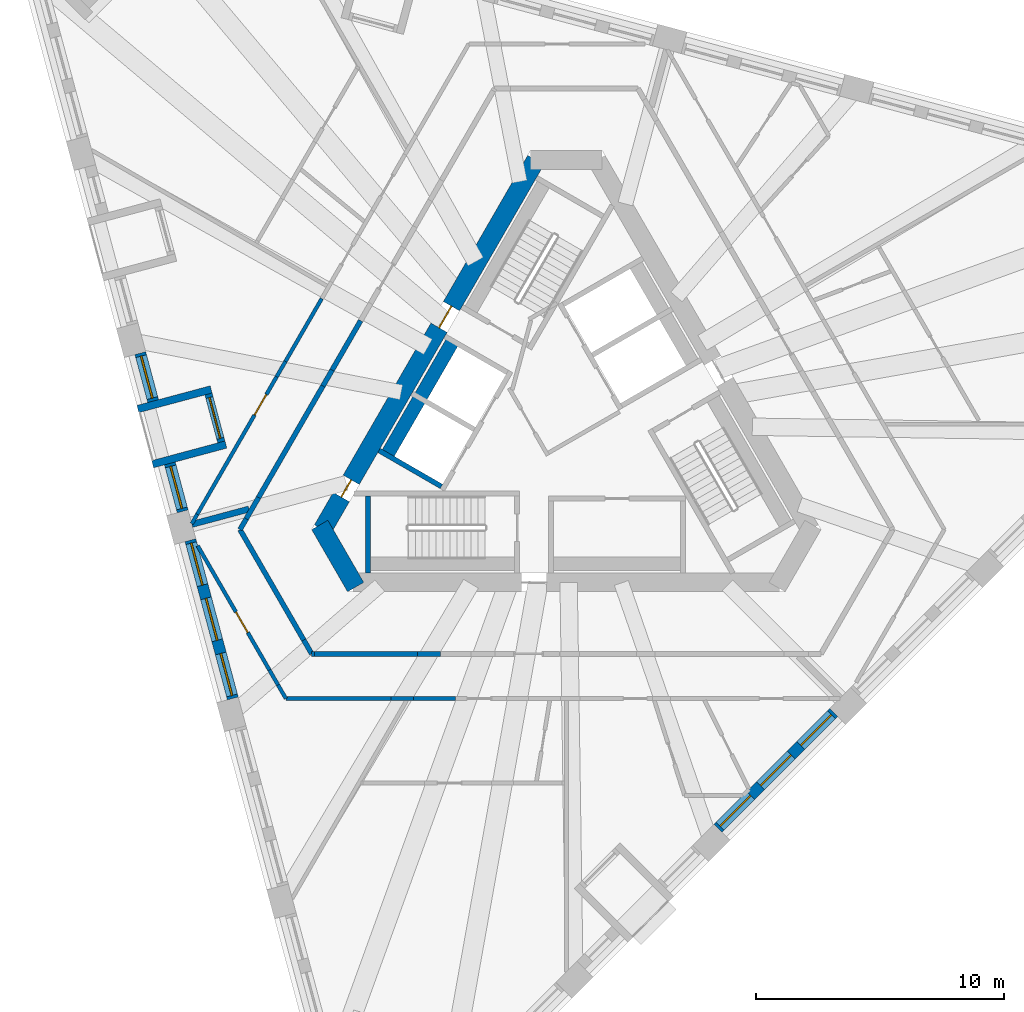
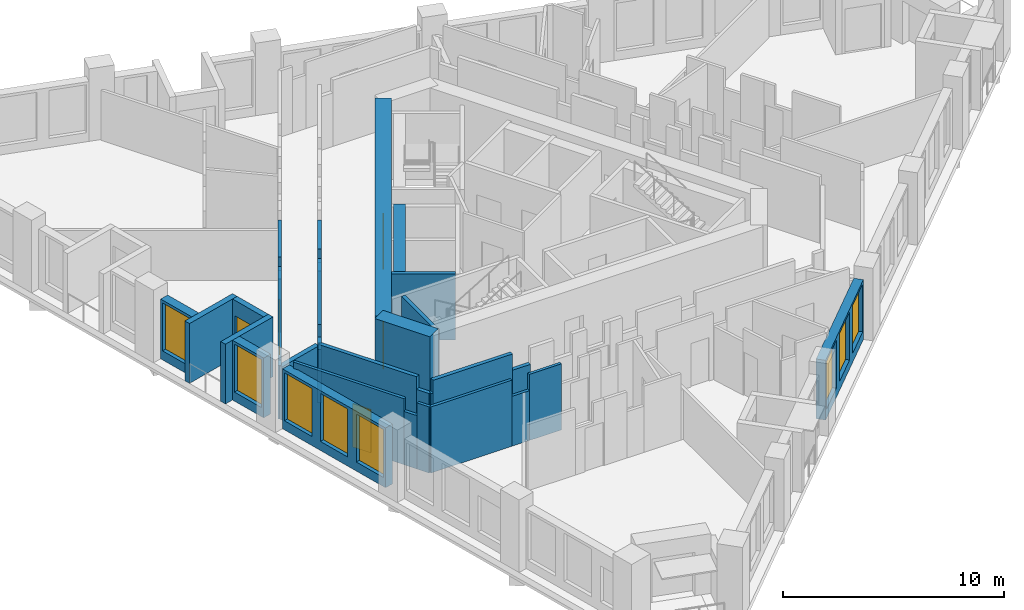
# One storey, part 3 of 13: 33 walls, 8 windows, 5 doors, 13 openings.
"""IFC4 building model written with IfcOpenShell, lengths in metres."""

from ifc_helpers import new_model, si_unit, direction, frame, frame_2d, origin, place, context, subcontext, project, spatial, rectangle, extrude, material, layer, layer_set, type_object, element, fill, save


model = new_model("IFC4")

# Units and contexts
model_context = context("Model", 3, precision=1e-05, world=origin(), true_north=direction((0.0, 1.0)))
body_context = subcontext(model_context, "Body", "Model", "MODEL_VIEW")
ifc_project = project(units=[si_unit("LENGTHUNIT", "METRE"), si_unit("AREAUNIT", "SQUARE_METRE"), si_unit("VOLUMEUNIT", "CUBIC_METRE"), si_unit("PLANEANGLEUNIT", "RADIAN"), si_unit("MASSUNIT", "GRAM", prefix="KILO")], contexts=[model_context])

# Site, building, storey
site_placement = place(None, origin())
site = spatial("IfcSite", under=ifc_project, at=site_placement, CompositionType="ELEMENT")
building_placement = place(site_placement, origin())
building = spatial("IfcBuilding", under=site, at=building_placement, Name="Tramontana Tower", CompositionType="ELEMENT")
storey_placement = place(building_placement, frame((0.0, 0.0, 208.0)))
storey = spatial("IfcBuildingStorey", under=building, at=storey_placement, Name="L48", CompositionType="ELEMENT", Elevation=208.0)

# Wall, openings, doors
ifc_material_1 = material(Name="Concrete 70 MPa", Category="concrete")
ifc_layer_1 = layer(ifc_material_1, 0.75)
ifc_layer_set_1 = layer_set([ifc_layer_1], Name="Core wall 750 70 MPa")
wall_type_1 = type_object("IfcWallType", Name="Core wall 750 70 MPa", PredefinedType="SHEAR", material=ifc_layer_set_1)
wall_1_placement = place(storey_placement, frame((-1.226806640625, 10.625, 0.0), z_axis=(0.0, 0.0, 1.0), x_axis=(-0.500002161919, -0.866024155596, 0.0)))
wall_1 = element("IfcWall", 1, at=wall_1_placement, inside=storey, type_object=wall_type_1, Name="Core wall C1 L48", PredefinedType="SHEAR", context=body_context, shape_type="SweptSolid", body=[
    extrude(rectangle(XDim=17.17626953125, YDim=0.75, at=frame_2d((8.588134765625, 0.0))), origin(), (0.0, 0.0, 1.0), 4.0),
])
opening_1_placement = place(wall_1_placement, frame((6.79296875, 0.0, 0.0)))
opening_1 = element("IfcOpeningElement", 2, at=opening_1_placement, cuts=wall_1, Name="Opening RG1", PredefinedType="OPENING", context=body_context, shape_type="SweptSolid", body=[
    extrude(rectangle(XDim=1.0, YDim=2.39990234375, at=frame_2d((0.5, 1.199951171875))), frame((0.0, 0.385009765625, 0.0), z_axis=(0.0, -1.0, 0.0), x_axis=(1.0, 0.0, 0.0)), (0.0, 0.0, 1.0), 0.77001953125),
])
opening_2_placement = place(wall_1_placement, frame((14.863525390625, 0.0, 0.0)))
opening_2 = element("IfcOpeningElement", 3, at=opening_2_placement, cuts=wall_1, Name="Opening PD1", PredefinedType="OPENING", context=body_context, shape_type="SweptSolid", body=[
    extrude(rectangle(XDim=0.800048828125, YDim=2.10009765625, at=frame_2d((0.39990234375, 1.050048828125))), frame((0.0, 0.385009765625, 0.0), z_axis=(0.0, -1.0, 0.0), x_axis=(1.0, 0.0, 0.0)), (0.0, 0.0, 1.0), 0.77001953125),
])
ifc_material_2 = material(Name="Painted steel", Category="steel")
door_type_1 = type_object("IfcDoorType", Name="CUPBOARD DOOR 800", OperationType="SINGLE_SWING_LEFT", PredefinedType="DOOR", material=ifc_material_2)
door_1_placement = place(opening_2_placement, origin())
door_1 = element("IfcDoor", 4, at=door_1_placement, inside=storey, type_object=door_type_1, Name="Door PD1", OperationType="SINGLE_SWING_RIGHT", OverallHeight=2.10009765625, OverallWidth=0.800048828125, PredefinedType="DOOR", context=body_context, shape_type="SweptSolid", body=[
    extrude(rectangle(XDim=0.800048828125, YDim=2.10009765625, at=frame_2d((0.39990234375, 1.050048828125))), frame((0.0, 0.02490234375, 0.0), z_axis=(0.0, -1.0, 0.0), x_axis=(1.0, 0.0, 0.0)), (0.0, 0.0, 1.0), 0.050048828125),
])
fill(opening_2, door_1)
ifc_material_3 = material(Name="Painted steel", Category="steel")
door_type_2 = type_object("IfcDoorType", Name="RING DOOR 1000", OperationType="SINGLE_SWING_LEFT", PredefinedType="DOOR", material=ifc_material_3)
door_2_placement = place(opening_1_placement, origin())
door_2 = element("IfcDoor", 5, at=door_2_placement, inside=storey, type_object=door_type_2, Name="Door RG1", OperationType="SINGLE_SWING_LEFT", OverallHeight=2.39990234375, OverallWidth=1.0, PredefinedType="DOOR", context=body_context, shape_type="SweptSolid", body=[
    extrude(rectangle(XDim=1.0, YDim=2.39990234375, at=frame_2d((0.5, 1.199951171875))), frame((0.0, 0.02490234375, 0.0), z_axis=(0.0, -1.0, 0.0), x_axis=(1.0, 0.0, 0.0)), (0.0, 0.0, 1.0), 0.050048828125),
])
fill(opening_1, door_2)

# Walls
wall_2_placement = place(storey_placement, frame((-9.923095703125, -4.0625, 0.0), z_axis=(0.0, 0.0, 1.0), x_axis=(0.499995765644, -0.866027848477, 0.0)))
element("IfcWall", 6, at=wall_2_placement, inside=storey, type_object=wall_type_1, Name="Core wall C2 L48", PredefinedType="SHEAR", context=body_context, shape_type="SweptSolid", body=[
    extrude(rectangle(XDim=2.88671875, YDim=0.75, at=frame_2d((1.443359375, 0.0))), origin(), (0.0, 0.0, 1.0), 4.0),
])
ifc_material_4 = material(Name="Blockwork", Category="masonry")
ifc_layer_2 = layer(ifc_material_4, 0.199951171875)
ifc_layer_set_2 = layer_set([ifc_layer_2], Name="ENTRY WALL 200")
wall_type_2 = type_object("IfcWallType", Name="ENTRY WALL 200", PredefinedType="SOLIDWALL", material=ifc_layer_set_2)
wall_3_placement = place(storey_placement, frame((-5.05615234375, -9.25, 0.0), z_axis=(0.0, 0.0, 1.0), x_axis=(-1.0, 0.0, 0.0)))
element("IfcWall", 7, at=wall_3_placement, inside=storey, type_object=wall_type_2, Name="Wall v50-ew2-11", PredefinedType="SOLIDWALL", context=body_context, shape_type="SweptSolid", body=[
    extrude(rectangle(XDim=0.931640625, YDim=0.199951171875, at=frame_2d((0.4658203125, 0.0))), origin(), (0.0, 0.0, 1.0), 2.75),
])
wall_4_placement = place(storey_placement, frame((-5.98779296875, -9.25, 0.0), z_axis=(0.0, 0.0, 1.0), x_axis=(-1.0, 0.0, 0.0)))
element("IfcWall", 8, at=wall_4_placement, inside=storey, type_object=wall_type_2, Name="Wall v50-ew2-12", PredefinedType="SOLIDWALL", context=body_context, shape_type="SweptSolid", body=[
    extrude(rectangle(XDim=4.1552734375, YDim=0.199951171875, at=frame_2d((2.07763671875, 0.0))), origin(), (0.0, 0.0, 1.0), 3.64990234375),
])
wall_5_placement = place(storey_placement, frame((-10.14306640625, -9.25, 0.0), z_axis=(0.0, 0.0, 1.0), x_axis=(-1.0, 0.0, 0.0)))
element("IfcWall", 9, at=wall_5_placement, inside=storey, type_object=wall_type_2, Name="Wall v50-ew2-13", PredefinedType="SOLIDWALL", context=body_context, shape_type="SweptSolid", body=[
    extrude(rectangle(XDim=0.10498046875, YDim=0.199951171875, at=frame_2d((0.052490234375, 0.0))), origin(), (0.0, 0.0, 1.0), 2.949951171875),
])
wall_6_placement = place(storey_placement, frame((-10.248046875, -9.25, 0.0), z_axis=(0.0, 0.0, 1.0), x_axis=(-0.499733411443, 0.86617926406, 0.0)))
element("IfcWall", 10, at=wall_6_placement, inside=storey, type_object=wall_type_2, Name="Wall v50-ew3-0", PredefinedType="SOLIDWALL", context=body_context, shape_type="SweptSolid", body=[
    extrude(rectangle(XDim=0.642822265625, YDim=0.199951171875, at=frame_2d((0.3212890625, 0.0))), origin(), (0.0, 0.0, 1.0), 2.949951171875),
])
wall_7_placement = place(storey_placement, frame((-10.5693359375, -8.693115234375, 0.0), z_axis=(0.0, 0.0, 1.0), x_axis=(-0.500028638513, 0.8660088687, 0.0)))
element("IfcWall", 11, at=wall_7_placement, inside=storey, type_object=wall_type_2, Name="Wall v50-ew3-1", PredefinedType="SOLIDWALL", context=body_context, shape_type="SweptSolid", body=[
    extrude(rectangle(XDim=5.130615234375, YDim=0.199951171875, at=frame_2d((2.5654296875, 0.0))), origin(), (0.0, 0.0, 1.0), 3.64990234375),
])
wall_8_placement = place(storey_placement, frame((-13.134765625, -4.25, 0.0), z_axis=(0.0, 0.0, 1.0), x_axis=(0.500002592159, 0.866023907196, 0.0)))
element("IfcWall", 12, at=wall_8_placement, inside=storey, type_object=wall_type_2, Name="Wall v50-ew4-0", PredefinedType="SOLIDWALL", context=body_context, shape_type="SweptSolid", body=[
    extrude(rectangle(XDim=0.5029296875, YDim=0.199951171875, at=frame_2d((0.25146484375, 0.0))), origin(), (0.0, 0.0, 1.0), 3.64990234375),
])
wall_9_placement = place(storey_placement, frame((-12.88330078125, -3.814453125, 0.0), z_axis=(0.0, 0.0, 1.0), x_axis=(0.500063959222, 0.865988473761, 0.0)))
element("IfcWall", 13, at=wall_9_placement, inside=storey, type_object=wall_type_2, Name="Wall v50-ew4-1", PredefinedType="SOLIDWALL", context=body_context, shape_type="SweptSolid", body=[
    extrude(rectangle(XDim=0.989990234375, YDim=0.199951171875, at=frame_2d((0.4951171875, 0.0))), origin(), (0.0, 0.0, 1.0), 2.949951171875),
])
wall_10_placement = place(storey_placement, frame((-12.38818359375, -2.95703125, 0.0), z_axis=(0.0, 0.0, 1.0), x_axis=(0.499990271856, 0.866031020258, 0.0)))
element("IfcWall", 14, at=wall_10_placement, inside=storey, type_object=wall_type_2, Name="Wall v50-ew4-2", PredefinedType="SOLIDWALL", context=body_context, shape_type="SweptSolid", body=[
    extrude(rectangle(XDim=5.181640625, YDim=0.199951171875, at=frame_2d((2.5908203125, 0.0))), origin(), (0.0, 0.0, 1.0), 3.64990234375),
])
wall_11_placement = place(storey_placement, frame((-9.79736328125, 1.530517578125, 0.0), z_axis=(0.0, 0.0, 1.0), x_axis=(0.499931655587, 0.866064858854, 0.0)))
element("IfcWall", 15, at=wall_11_placement, inside=storey, type_object=wall_type_2, Name="Wall v50-ew4-3", PredefinedType="SOLIDWALL", context=body_context, shape_type="SweptSolid", body=[
    extrude(rectangle(XDim=0.74072265625, YDim=0.199951171875, at=frame_2d((0.370361328125, 0.0))), origin(), (0.0, 0.0, 1.0), 2.949951171875),
])
wall_12_placement = place(storey_placement, frame((-9.427001953125, 2.172119140625, 0.0), z_axis=(0.0, 0.0, 1.0), x_axis=(0.500013761451, 0.866017458461, 0.0)))
element("IfcWall", 16, at=wall_12_placement, inside=storey, type_object=wall_type_2, Name="Wall v50-ew4-4", PredefinedType="SOLIDWALL", context=body_context, shape_type="SweptSolid", body=[
    extrude(rectangle(XDim=2.29736328125, YDim=0.199951171875, at=frame_2d((1.148681640625, 0.0))), origin(), (0.0, 0.0, 1.0), 3.64990234375),
])

# Wall, opening, window
ifc_material_5 = material(Name="Precast concrete 60 MPa", Category="concrete")
ifc_layer_3 = layer(ifc_material_5, 0.449951171875)
ifc_layer_set_3 = layer_set([ifc_layer_3], Name="Precast concrete 60 MPa, 450 mm")
wall_type_3 = type_object("IfcWallType", Name="EW1 Stone-faced precast wall 450", PredefinedType="SOLIDWALL", material=ifc_layer_set_3)
wall_13_placement = place(storey_placement, frame((-17.147705078125, 2.853271484375, 0.0), z_axis=(0.0, 0.0, 1.0), x_axis=(0.258803270362, -0.96593005298, 0.0)))
wall_13 = element("IfcWall", 17, at=wall_13_placement, inside=storey, type_object=wall_type_3, Name="External wall L48 face 0 bay 3", PredefinedType="SOLIDWALL", context=body_context, shape_type="SweptSolid", body=[
    extrude(rectangle(XDim=1.998046875, YDim=0.449951171875, at=frame_2d((0.9990234375, 0.0))), origin(), (0.0, 0.0, 1.0), 3.300048828125),
])
opening_3_placement = place(wall_13_placement, frame((0.1240234375, 0.0, 0.5)))
opening_3 = element("IfcOpeningElement", 18, at=opening_3_placement, cuts=wall_13, Name="Opening M2", PredefinedType="OPENING", context=body_context, shape_type="SweptSolid", body=[
    extrude(rectangle(XDim=1.75, YDim=2.64990234375, at=frame_2d((0.875, 1.324951171875))), frame((0.0, 0.23486328125, 0.0), z_axis=(0.0, -1.0, 0.0), x_axis=(1.0, 0.0, 0.0)), (0.0, 0.0, 1.0), 0.469970703125),
])
ifc_material_6 = material(Name="Aluminum frame, double glazing unit", Category="aluminium")
window_type = type_object("IfcWindowType", Name="M2 Window 1.75 x 2.65", PartitioningType="SINGLE_PANEL", PredefinedType="WINDOW", material=ifc_material_6)
window_1_placement = place(opening_3_placement, origin())
window_1 = element("IfcWindow", 19, at=window_1_placement, inside=storey, type_object=window_type, Name="Window M2 L48 face 0 module 7", OverallHeight=2.64990234375, OverallWidth=1.75, PartitioningType="SINGLE_PANEL", PredefinedType="WINDOW", context=body_context, shape_type="SweptSolid", body=[
    extrude(rectangle(XDim=1.75, YDim=2.64990234375, at=frame_2d((0.875, 1.324951171875))), frame((0.0, 0.030029296875, 0.0), z_axis=(0.0, -1.0, 0.0), x_axis=(1.0, 0.0, 0.0)), (0.0, 0.0, 1.0), 0.06005859375),
])
fill(opening_3, window_1)

wall_14_placement = place(storey_placement, frame((-15.958251953125, -1.586181640625, 0.0), z_axis=(0.0, 0.0, 1.0), x_axis=(0.258772727493, -0.965938235865, 0.0)))
wall_14 = element("IfcWall", 20, at=wall_14_placement, inside=storey, type_object=wall_type_3, Name="External wall L48 face 0 bay 3", PredefinedType="SOLIDWALL", context=body_context, shape_type="SweptSolid", body=[
    extrude(rectangle(XDim=1.998291015625, YDim=0.449951171875, at=frame_2d((0.9990234375, 0.0))), origin(), (0.0, 0.0, 1.0), 3.300048828125),
])
opening_4_placement = place(wall_14_placement, frame((0.1240234375, 0.0, 0.5)))
opening_4 = element("IfcOpeningElement", 21, at=opening_4_placement, cuts=wall_14, Name="Opening M2", PredefinedType="OPENING", context=body_context, shape_type="SweptSolid", body=[
    extrude(rectangle(XDim=1.75, YDim=2.64990234375, at=frame_2d((0.875, 1.324951171875))), frame((0.0, 0.23486328125, 0.0), z_axis=(0.0, -1.0, 0.0), x_axis=(1.0, 0.0, 0.0)), (0.0, 0.0, 1.0), 0.469970703125),
])
window_2_placement = place(opening_4_placement, origin())
window_2 = element("IfcWindow", 22, at=window_2_placement, inside=storey, type_object=window_type, Name="Window M2 L48 face 0 module 9", OverallHeight=2.64990234375, OverallWidth=1.75, PartitioningType="SINGLE_PANEL", PredefinedType="WINDOW", context=body_context, shape_type="SweptSolid", body=[
    extrude(rectangle(XDim=1.75, YDim=2.64990234375, at=frame_2d((0.875, 1.324951171875))), frame((0.0, 0.030029296875, 0.0), z_axis=(0.0, -1.0, 0.0), x_axis=(1.0, 0.0, 0.0)), (0.0, 0.0, 1.0), 0.06005859375),
])
fill(opening_4, window_2)

# Wall, openings, windows
wall_15_placement = place(storey_placement, frame((-15.13037109375, -4.67529296875, 0.0), z_axis=(0.0, 0.0, 1.0), x_axis=(0.258791602952, -0.965933178973, 0.0)))
wall_15 = element("IfcWall", 23, at=wall_15_placement, inside=storey, type_object=wall_type_3, Name="External wall L48 face 0 bay 4", PredefinedType="SOLIDWALL", context=body_context, shape_type="SweptSolid", body=[
    extrude(rectangle(XDim=6.59423828125, YDim=0.449951171875, at=frame_2d((3.297119140625, 0.0))), origin(), (0.0, 0.0, 1.0), 3.300048828125),
])
opening_5_placement = place(wall_15_placement, frame((0.1240234375, 0.0, 0.5)))
opening_5 = element("IfcOpeningElement", 24, at=opening_5_placement, cuts=wall_15, Name="Opening M2", PredefinedType="OPENING", context=body_context, shape_type="SweptSolid", body=[
    extrude(rectangle(XDim=1.75, YDim=2.64990234375, at=frame_2d((0.875, 1.324951171875))), frame((0.0, 0.23486328125, 0.0), z_axis=(0.0, -1.0, 0.0), x_axis=(1.0, 0.0, 0.0)), (0.0, 0.0, 1.0), 0.469970703125),
])
opening_6_placement = place(wall_15_placement, frame((2.422119140625, 0.0, 0.5)))
opening_6 = element("IfcOpeningElement", 25, at=opening_6_placement, cuts=wall_15, Name="Opening M2", PredefinedType="OPENING", context=body_context, shape_type="SweptSolid", body=[
    extrude(rectangle(XDim=1.75, YDim=2.64990234375, at=frame_2d((0.875, 1.324951171875))), frame((0.0, 0.23486328125, 0.0), z_axis=(0.0, -1.0, 0.0), x_axis=(1.0, 0.0, 0.0)), (0.0, 0.0, 1.0), 0.469970703125),
])
opening_7_placement = place(wall_15_placement, frame((4.72021484375, 0.0, 0.5)))
opening_7 = element("IfcOpeningElement", 26, at=opening_7_placement, cuts=wall_15, Name="Opening M2", PredefinedType="OPENING", context=body_context, shape_type="SweptSolid", body=[
    extrude(rectangle(XDim=1.75, YDim=2.64990234375, at=frame_2d((0.875, 1.324951171875))), frame((0.0, 0.23486328125, 0.0), z_axis=(0.0, -1.0, 0.0), x_axis=(1.0, 0.0, 0.0)), (0.0, 0.0, 1.0), 0.469970703125),
])
window_3_placement = place(opening_5_placement, origin())
window_3 = element("IfcWindow", 27, at=window_3_placement, inside=storey, type_object=window_type, Name="Window M2 L48 face 0 module 10", OverallHeight=2.64990234375, OverallWidth=1.75, PartitioningType="SINGLE_PANEL", PredefinedType="WINDOW", context=body_context, shape_type="SweptSolid", body=[
    extrude(rectangle(XDim=1.75, YDim=2.64990234375, at=frame_2d((0.875, 1.324951171875))), frame((0.0, 0.030029296875, 0.0), z_axis=(0.0, -1.0, 0.0), x_axis=(1.0, 0.0, 0.0)), (0.0, 0.0, 1.0), 0.06005859375),
])
fill(opening_5, window_3)
window_4_placement = place(opening_6_placement, origin())
window_4 = element("IfcWindow", 28, at=window_4_placement, inside=storey, type_object=window_type, Name="Window M2 L48 face 0 module 11", OverallHeight=2.64990234375, OverallWidth=1.75, PartitioningType="SINGLE_PANEL", PredefinedType="WINDOW", context=body_context, shape_type="SweptSolid", body=[
    extrude(rectangle(XDim=1.75, YDim=2.64990234375, at=frame_2d((0.875, 1.324951171875))), frame((0.0, 0.030029296875, 0.0), z_axis=(0.0, -1.0, 0.0), x_axis=(1.0, 0.0, 0.0)), (0.0, 0.0, 1.0), 0.06005859375),
])
fill(opening_6, window_4)
window_5_placement = place(opening_7_placement, origin())
window_5 = element("IfcWindow", 29, at=window_5_placement, inside=storey, type_object=window_type, Name="Window M2 L48 face 0 module 12", OverallHeight=2.64990234375, OverallWidth=1.75, PartitioningType="SINGLE_PANEL", PredefinedType="WINDOW", context=body_context, shape_type="SweptSolid", body=[
    extrude(rectangle(XDim=1.75, YDim=2.64990234375, at=frame_2d((0.875, 1.324951171875))), frame((0.0, 0.030029296875, 0.0), z_axis=(0.0, -1.0, 0.0), x_axis=(1.0, 0.0, 0.0)), (0.0, 0.0, 1.0), 0.06005859375),
])
fill(opening_7, window_5)

wall_16_placement = place(storey_placement, frame((6.102783203125, -16.277099609375, 0.0), z_axis=(0.0, 0.0, 1.0), x_axis=(0.707106781187, 0.707106781187, 0.0)))
wall_16 = element("IfcWall", 30, at=wall_16_placement, inside=storey, type_object=wall_type_3, Name="External wall L48 face 1 bay 3", PredefinedType="SOLIDWALL", context=body_context, shape_type="SweptSolid", body=[
    extrude(rectangle(XDim=6.59423828125, YDim=0.449951171875, at=frame_2d((3.297119140625, 0.0))), origin(), (0.0, 0.0, 1.0), 3.300048828125),
])
opening_8_placement = place(wall_16_placement, frame((0.1240234375, 0.0, 0.5)))
opening_8 = element("IfcOpeningElement", 31, at=opening_8_placement, cuts=wall_16, Name="Opening M2", PredefinedType="OPENING", context=body_context, shape_type="SweptSolid", body=[
    extrude(rectangle(XDim=1.75, YDim=2.64990234375, at=frame_2d((0.875, 1.324951171875))), frame((0.0, 0.23486328125, 0.0), z_axis=(0.0, -1.0, 0.0), x_axis=(1.0, 0.0, 0.0)), (0.0, 0.0, 1.0), 0.469970703125),
])
opening_9_placement = place(wall_16_placement, frame((2.422119140625, 0.0, 0.5)))
opening_9 = element("IfcOpeningElement", 32, at=opening_9_placement, cuts=wall_16, Name="Opening M2", PredefinedType="OPENING", context=body_context, shape_type="SweptSolid", body=[
    extrude(rectangle(XDim=1.75, YDim=2.64990234375, at=frame_2d((0.875, 1.324951171875))), frame((0.0, 0.23486328125, 0.0), z_axis=(0.0, -1.0, 0.0), x_axis=(1.0, 0.0, 0.0)), (0.0, 0.0, 1.0), 0.469970703125),
])
opening_10_placement = place(wall_16_placement, frame((4.72021484375, 0.0, 0.5)))
opening_10 = element("IfcOpeningElement", 33, at=opening_10_placement, cuts=wall_16, Name="Opening M2", PredefinedType="OPENING", context=body_context, shape_type="SweptSolid", body=[
    extrude(rectangle(XDim=1.75, YDim=2.64990234375, at=frame_2d((0.875, 1.324951171875))), frame((0.0, 0.23486328125, 0.0), z_axis=(0.0, -1.0, 0.0), x_axis=(1.0, 0.0, 0.0)), (0.0, 0.0, 1.0), 0.469970703125),
])
window_6_placement = place(opening_8_placement, origin())
window_6 = element("IfcWindow", 34, at=window_6_placement, inside=storey, type_object=window_type, Name="Window M2 L48 face 1 module 7", OverallHeight=2.64990234375, OverallWidth=1.75, PartitioningType="SINGLE_PANEL", PredefinedType="WINDOW", context=body_context, shape_type="SweptSolid", body=[
    extrude(rectangle(XDim=1.75, YDim=2.64990234375, at=frame_2d((0.875, 1.324951171875))), frame((0.0, 0.030029296875, 0.0), z_axis=(0.0, -1.0, 0.0), x_axis=(1.0, 0.0, 0.0)), (0.0, 0.0, 1.0), 0.06005859375),
])
fill(opening_8, window_6)
window_7_placement = place(opening_9_placement, origin())
window_7 = element("IfcWindow", 35, at=window_7_placement, inside=storey, type_object=window_type, Name="Window M2 L48 face 1 module 8", OverallHeight=2.64990234375, OverallWidth=1.75, PartitioningType="SINGLE_PANEL", PredefinedType="WINDOW", context=body_context, shape_type="SweptSolid", body=[
    extrude(rectangle(XDim=1.75, YDim=2.64990234375, at=frame_2d((0.875, 1.324951171875))), frame((0.0, 0.030029296875, 0.0), z_axis=(0.0, -1.0, 0.0), x_axis=(1.0, 0.0, 0.0)), (0.0, 0.0, 1.0), 0.06005859375),
])
fill(opening_9, window_7)
window_8_placement = place(opening_10_placement, origin())
window_8 = element("IfcWindow", 36, at=window_8_placement, inside=storey, type_object=window_type, Name="Window M2 L48 face 1 module 9", OverallHeight=2.64990234375, OverallWidth=1.75, PartitioningType="SINGLE_PANEL", PredefinedType="WINDOW", context=body_context, shape_type="SweptSolid", body=[
    extrude(rectangle(XDim=1.75, YDim=2.64990234375, at=frame_2d((0.875, 1.324951171875))), frame((0.0, 0.030029296875, 0.0), z_axis=(0.0, -1.0, 0.0), x_axis=(1.0, 0.0, 0.0)), (0.0, 0.0, 1.0), 0.06005859375),
])
fill(opening_10, window_8)

# Wall, opening, door
ifc_material_7 = material(Name="Precast concrete 60 MPa", Category="concrete")
ifc_layer_4 = layer(ifc_material_7, 0.300048828125)
ifc_layer_set_4 = layer_set([ifc_layer_4], Name="LW1 Stone-faced loggia wall 300")
wall_type_4 = type_object("IfcWallType", Name="LW1 Stone-faced loggia wall 300", PredefinedType="SOLIDWALL", material=ifc_layer_set_4)
wall_17_placement = place(storey_placement, frame((-14.40380859375, 1.20947265625, 0.0), z_axis=(0.0, 0.0, 1.0), x_axis=(0.258772727493, -0.965938235865, 0.0)))
wall_17 = element("IfcWall", 37, at=wall_17_placement, inside=storey, type_object=wall_type_4, Name="Loggia wall L48 G5S0.7", PredefinedType="SOLIDWALL", context=body_context, shape_type="SweptSolid", body=[
    extrude(rectangle(XDim=1.998291015625, YDim=0.300048828125, at=frame_2d((0.9990234375, 0.0))), origin(), (0.0, 0.0, 1.0), 3.300048828125),
])
opening_11_placement = place(wall_17_placement, frame((0.14892578125, 0.0, 0.0)))
opening_11 = element("IfcOpeningElement", 38, at=opening_11_placement, cuts=wall_17, Name="Opening BD-5S0-07", PredefinedType="OPENING", context=body_context, shape_type="SweptSolid", body=[
    extrude(rectangle(XDim=1.699951171875, YDim=2.449951171875, at=frame_2d((0.85009765625, 1.22509765625))), frame((0.0, 0.159912109375, 0.0), z_axis=(0.0, -1.0, 0.0), x_axis=(1.0, 0.0, 0.0)), (0.0, 0.0, 1.0), 0.320068359375),
])
ifc_material_8 = material(Name="Aluminum frame, double glazing unit", Category="aluminium")
door_type_3 = type_object("IfcDoorType", Name="BD2 Sliding door 1.7 x 2.45", OperationType="SLIDING_TO_LEFT", PredefinedType="DOOR", material=ifc_material_8)
door_3_placement = place(opening_11_placement, origin())
door_3 = element("IfcDoor", 39, at=door_3_placement, inside=storey, type_object=door_type_3, Name="Loggia door L48 G5S0.7", OperationType="SLIDING_TO_LEFT", OverallHeight=2.449951171875, OverallWidth=1.699951171875, PredefinedType="DOOR", context=body_context, shape_type="SweptSolid", body=[
    extrude(rectangle(XDim=1.699951171875, YDim=2.449951171875, at=frame_2d((0.85009765625, 1.22509765625))), frame((0.0, 0.02490234375, 0.0), z_axis=(0.0, -1.0, 0.0), x_axis=(1.0, 0.0, 0.0)), (0.0, 0.0, 1.0), 0.050048828125),
])
fill(opening_11, door_3)

# Walls
for number, where, z_axis, x_axis, name in (
    (40, (-17.243896484375, 0.603759765625, 0.0), (0.0, 0.0, 1.0), (0.965932688119, 0.258793435045, 0.0), "Loggia return L48 G5S0.7a"),
    (41, (-16.64892578125, -1.615966796875, 0.0), (0.0, 0.0, 1.0), (0.965932688119, 0.258793435045, 0.0), "Loggia return L48 G5S0.7b"),
):
    element("IfcWall", number, at=place(storey_placement, frame(where, z_axis=z_axis, x_axis=x_axis)), inside=storey, type_object=wall_type_4, Name=name, PredefinedType="SOLIDWALL", context=body_context, shape_type="SweptSolid", body=[
        extrude(rectangle(XDim=3.050048828125, YDim=0.300048828125, at=frame_2d((1.52490234375, 0.0))), origin(), (0.0, 0.0, 1.0), 3.300048828125),
    ])
ifc_material_9 = material(Name="Gypsum board partition")
ifc_layer_5 = layer(ifc_material_9, 0.14990234375)
ifc_layer_set_5 = layer_set([ifc_layer_5], Name="PARTITION 150")
wall_type_5 = type_object("IfcWallType", Name="PARTITION 150", PredefinedType="PARTITIONING", material=ifc_layer_set_5)
wall_18_placement = place(storey_placement, frame((-15.075439453125, -4.011474609375, 0.0), z_axis=(0.0, 0.0, 1.0), x_axis=(0.500027377864, 0.86600959659, 0.0)))
element("IfcWall", 42, at=wall_18_placement, inside=storey, type_object=wall_type_5, Name="Wall v50-pw00-0", PredefinedType="PARTITIONING", context=body_context, shape_type="SweptSolid", body=[
    extrude(rectangle(XDim=0.43896484375, YDim=0.14990234375, at=frame_2d((0.219482421875, 0.0))), origin(), (0.0, 0.0, 1.0), 2.949951171875),
])

# Wall, opening, door
wall_19_placement = place(storey_placement, frame((-14.85595703125, -3.63134765625, 0.0), z_axis=(0.0, 0.0, 1.0), x_axis=(0.49999366119, 0.866029063467, 0.0)))
wall_19 = element("IfcWall", 43, at=wall_19_placement, inside=storey, type_object=wall_type_5, Name="Wall v50-pw00-1", PredefinedType="PARTITIONING", context=body_context, shape_type="SweptSolid", body=[
    extrude(rectangle(XDim=6.3896484375, YDim=0.14990234375, at=frame_2d((3.19482421875, 0.0))), origin(), (0.0, 0.0, 1.0), 3.64990234375),
])
opening_12_placement = place(wall_19_placement, frame((4.611328125, 0.0, 0.0)))
opening_12 = element("IfcOpeningElement", 44, at=opening_12_placement, cuts=wall_19, Name="Opening B5A-04", PredefinedType="OPENING", context=body_context, shape_type="SweptSolid", body=[
    extrude(rectangle(XDim=0.949951171875, YDim=2.39990234375, at=frame_2d((0.47509765625, 1.199951171875))), frame((0.0, 0.0849609375, 0.0), z_axis=(0.0, -1.0, 0.0), x_axis=(1.0, 0.0, 0.0)), (0.0, 0.0, 1.0), 0.169921875),
])
ifc_material_10 = material(Name="Painted timber", Category="wood")
door_type_4 = type_object("IfcDoorType", Name="DOOR ROOM 950", OperationType="SINGLE_SWING_LEFT", PredefinedType="DOOR", material=ifc_material_10)
door_4_placement = place(opening_12_placement, origin())
door_4 = element("IfcDoor", 45, at=door_4_placement, inside=storey, type_object=door_type_4, Name="Door B5A-04", OperationType="SINGLE_SWING_RIGHT", OverallHeight=2.39990234375, OverallWidth=0.949951171875, PredefinedType="DOOR", context=body_context, shape_type="SweptSolid", body=[
    extrude(rectangle(XDim=0.949951171875, YDim=2.39990234375, at=frame_2d((0.47509765625, 1.199951171875))), frame((0.0, 0.02490234375, 0.0), z_axis=(0.0, -1.0, 0.0), x_axis=(1.0, 0.0, 0.0)), (0.0, 0.0, 1.0), 0.050048828125),
])
fill(opening_12, door_4)

# Walls
wall_20_placement = place(storey_placement, frame((-11.6611328125, 1.90234375, 0.0), z_axis=(0.0, 0.0, 1.0), x_axis=(0.499998569178, 0.866026229868, 0.0)))
element("IfcWall", 46, at=wall_20_placement, inside=storey, type_object=wall_type_5, Name="Wall v50-pw00-2", PredefinedType="PARTITIONING", context=body_context, shape_type="SweptSolid", body=[
    extrude(rectangle(XDim=0.71435546875, YDim=0.14990234375, at=frame_2d((0.357177734375, 0.0))), origin(), (0.0, 0.0, 1.0), 2.949951171875),
])
wall_21_placement = place(storey_placement, frame((-11.303955078125, 2.52099609375, 0.0), z_axis=(0.0, 0.0, 1.0), x_axis=(0.49998782916, 0.866032430508, 0.0)))
element("IfcWall", 47, at=wall_21_placement, inside=storey, type_object=wall_type_5, Name="Wall v50-pw00-3", PredefinedType="PARTITIONING", context=body_context, shape_type="SweptSolid", body=[
    extrude(rectangle(XDim=2.919921875, YDim=0.14990234375, at=frame_2d((1.4599609375, 0.0))), origin(), (0.0, 0.0, 1.0), 3.64990234375),
])
wall_22_placement = place(storey_placement, frame((-11.287109375, -11.050048828125, 0.0), z_axis=(0.0, 0.0, 1.0), x_axis=(-0.500187988959, 0.865916841101, 0.0)))
element("IfcWall", 48, at=wall_22_placement, inside=storey, type_object=wall_type_5, Name="Wall v50-pw03-0", PredefinedType="PARTITIONING", context=body_context, shape_type="SweptSolid", body=[
    extrude(rectangle(XDim=0.635498046875, YDim=0.14990234375, at=frame_2d((0.31787109375, 0.0))), origin(), (0.0, 0.0, 1.0), 3.64990234375),
])
wall_23_placement = place(storey_placement, frame((-11.60498046875, -10.499755859375, 0.0), z_axis=(0.0, 0.0, 1.0), x_axis=(-0.499845467243, 0.866114604932, 0.0)))
element("IfcWall", 49, at=wall_23_placement, inside=storey, type_object=wall_type_5, Name="Wall v50-pw03-1", PredefinedType="PARTITIONING", context=body_context, shape_type="SweptSolid", body=[
    extrude(rectangle(XDim=0.687255859375, YDim=0.14990234375, at=frame_2d((0.34375, 0.0))), origin(), (0.0, 0.0, 1.0), 2.949951171875),
])

# Wall, opening, door
wall_24_placement = place(storey_placement, frame((-11.948486328125, -9.904541015625, 0.0), z_axis=(0.0, 0.0, 1.0), x_axis=(-0.500016344183, 0.86601596726, 0.0)))
wall_24 = element("IfcWall", 50, at=wall_24_placement, inside=storey, type_object=wall_type_5, Name="Wall v50-pw03-2", PredefinedType="PARTITIONING", context=body_context, shape_type="SweptSolid", body=[
    extrude(rectangle(XDim=5.776611328125, YDim=0.14990234375, at=frame_2d((2.88818359375, 0.0))), origin(), (0.0, 0.0, 1.0), 3.64990234375),
])
opening_13_placement = place(wall_24_placement, frame((1.751953125, 0.0, 0.0)))
opening_13 = element("IfcOpeningElement", 51, at=opening_13_placement, cuts=wall_24, Name="Opening B5A-06", PredefinedType="OPENING", context=body_context, shape_type="SweptSolid", body=[
    extrude(rectangle(XDim=0.949951171875, YDim=2.39990234375, at=frame_2d((0.47509765625, 1.199951171875))), frame((0.0, 0.0849609375, 0.0), z_axis=(0.0, -1.0, 0.0), x_axis=(1.0, 0.0, 0.0)), (0.0, 0.0, 1.0), 0.169921875),
])
door_5_placement = place(opening_13_placement, origin())
door_5 = element("IfcDoor", 52, at=door_5_placement, inside=storey, type_object=door_type_4, Name="Door B5A-06", OperationType="SINGLE_SWING_RIGHT", OverallHeight=2.39990234375, OverallWidth=0.949951171875, PredefinedType="DOOR", context=body_context, shape_type="SweptSolid", body=[
    extrude(rectangle(XDim=0.949951171875, YDim=2.39990234375, at=frame_2d((0.47509765625, 1.199951171875))), frame((0.0, 0.02490234375, 0.0), z_axis=(0.0, -1.0, 0.0), x_axis=(1.0, 0.0, 0.0)), (0.0, 0.0, 1.0), 0.050048828125),
])
fill(opening_13, door_5)

# Walls
wall_25_placement = place(storey_placement, frame((-4.4677734375, -11.050048828125, 0.0), z_axis=(0.0, 0.0, 1.0), x_axis=(-1.0, 0.0, 0.0)))
element("IfcWall", 53, at=wall_25_placement, inside=storey, type_object=wall_type_5, Name="Wall v50-pw24-9", PredefinedType="PARTITIONING", context=body_context, shape_type="SweptSolid", body=[
    extrude(rectangle(XDim=1.677490234375, YDim=0.14990234375, at=frame_2d((0.8388671875, 0.0))), origin(), (0.0, 0.0, 1.0), 3.64990234375),
])
wall_26_placement = place(storey_placement, frame((-6.145263671875, -11.050048828125, 0.0), z_axis=(0.0, 0.0, 1.0), x_axis=(-1.0, 0.0, 0.0)))
element("IfcWall", 54, at=wall_26_placement, inside=storey, type_object=wall_type_5, Name="Wall v50-pw24-10", PredefinedType="PARTITIONING", context=body_context, shape_type="SweptSolid", body=[
    extrude(rectangle(XDim=0.902587890625, YDim=0.14990234375, at=frame_2d((0.451171875, 0.0))), origin(), (0.0, 0.0, 1.0), 2.75),
])
wall_27_placement = place(storey_placement, frame((-7.0478515625, -11.050048828125, 0.0), z_axis=(0.0, 0.0, 1.0), x_axis=(-1.0, 0.0, 0.0)))
element("IfcWall", 55, at=wall_27_placement, inside=storey, type_object=wall_type_5, Name="Wall v50-pw24-11", PredefinedType="PARTITIONING", context=body_context, shape_type="SweptSolid", body=[
    extrude(rectangle(XDim=4.2392578125, YDim=0.14990234375, at=frame_2d((2.11962890625, 0.0))), origin(), (0.0, 0.0, 1.0), 3.64990234375),
])
ifc_material_11 = material(Name="Blockwork", Category="masonry")
ifc_layer_6 = layer(ifc_material_11, 0.25)
ifc_layer_set_6 = layer_set([ifc_layer_6], Name="PARTY WALL 250")
wall_type_6 = type_object("IfcWallType", Name="PARTY WALL 250", PredefinedType="SOLIDWALL", material=ifc_layer_set_6)
wall_28_placement = place(storey_placement, frame((-12.7724609375, -3.42236328125, 0.0), z_axis=(0.0, 0.0, 1.0), x_axis=(-0.965920541607, -0.258838766998, 0.0)))
element("IfcWall", 56, at=wall_28_placement, inside=storey, type_object=wall_type_6, Name="Wall v50-pw01-0", PredefinedType="SOLIDWALL", context=body_context, shape_type="SweptSolid", body=[
    extrude(rectangle(XDim=2.376953125, YDim=0.25, at=frame_2d((1.1884765625, 0.0))), origin(), (0.0, 0.0, 1.0), 2.949951171875),
])
ifc_material_12 = material(Name="Concrete 70 MPa", Category="concrete")
ifc_layer_7 = layer(ifc_material_12, 0.550048828125)
ifc_layer_set_7 = layer_set([ifc_layer_7], Name="Concrete 70 MPa, 550 mm")
wall_type_7 = type_object("IfcWallType", Name="RC SHAFT BACK WALL 550", PredefinedType="SOLIDWALL", material=ifc_layer_set_7)
wall_29_placement = place(storey_placement, frame((-4.516357421875, 3.427490234375, 0.0), z_axis=(0.0, 0.0, 1.0), x_axis=(-0.499996545922, -0.866027397988, 0.0)))
element("IfcWall", 57, at=wall_29_placement, inside=storey, type_object=wall_type_7, Name="Wall row0-back", PredefinedType="SOLIDWALL", context=body_context, shape_type="SweptSolid", body=[
    extrude(rectangle(XDim=5.5, YDim=0.550048828125, at=frame_2d((2.75, 0.0))), origin(), (0.0, 0.0, 1.0), 3.64990234375),
])
ifc_material_13 = material(Name="Concrete 70 MPa", Category="concrete")
ifc_layer_8 = layer(ifc_material_13, 0.199951171875)
ifc_layer_set_8 = layer_set([ifc_layer_8], Name="Concrete 70 MPa, 200 mm")
wall_type_8 = type_object("IfcWallType", Name="RC STAIR AND SHAFT WALL 200", PredefinedType="SOLIDWALL", material=ifc_layer_set_8)
wall_30_placement = place(storey_placement, frame((-7.97998046875, -2.89990234375, 0.0), z_axis=(0.0, 0.0, 1.0), x_axis=(0.0, -1.0, 0.0)))
element("IfcWall", 58, at=wall_30_placement, inside=storey, type_object=wall_type_8, Name="Wall st2-far", PredefinedType="SOLIDWALL", context=body_context, shape_type="SweptSolid", body=[
    extrude(rectangle(XDim=3.10009765625, YDim=0.199951171875, at=frame_2d((1.550048828125, 0.0))), origin(), (0.0, 0.0, 1.0), 3.64990234375),
])
wall_31_placement = place(storey_placement, frame((-5.02978515625, -2.51171875, 0.0), z_axis=(0.0, 0.0, 1.0), x_axis=(-0.866032775405, 0.499987231761, 0.0)))
element("IfcWall", 59, at=wall_31_placement, inside=storey, type_object=wall_type_8, Name="Wall row0-side2", PredefinedType="SOLIDWALL", context=body_context, shape_type="SweptSolid", body=[
    extrude(rectangle(XDim=2.89990234375, YDim=0.199951171875, at=frame_2d((1.449951171875, 0.0))), origin(), (0.0, 0.0, 1.0), 3.64990234375),
])

save(model, "model.ifc")
